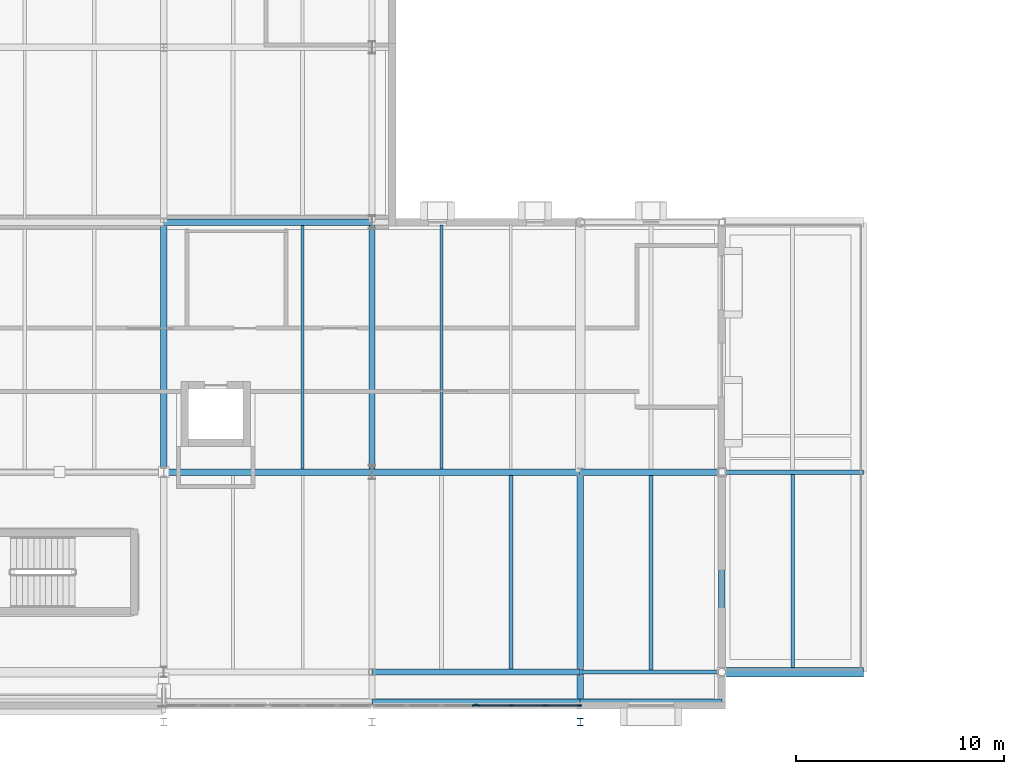
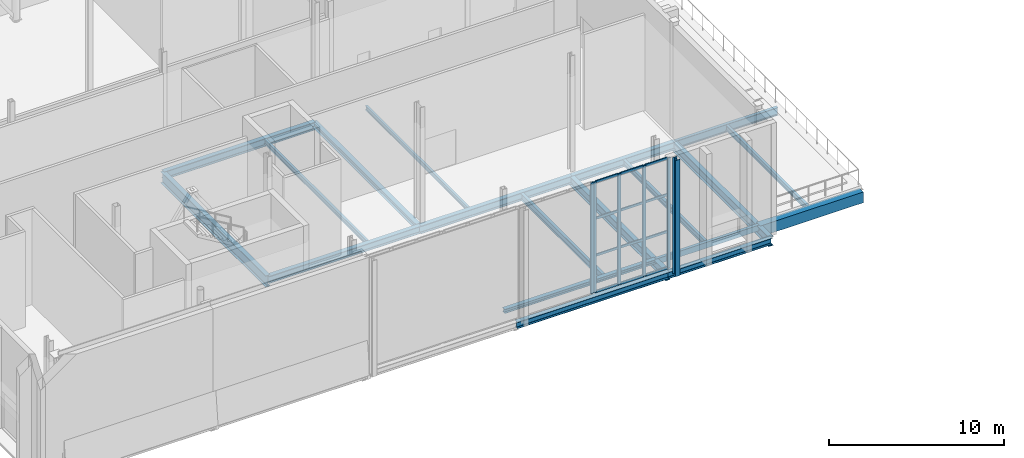
# One storey, part 35 of 79: 19 beams, 18 members, 2 elements without a shape of their own.
"""IFC4 building model written with IfcOpenShell, lengths in metres."""

from ifc_helpers import new_model, si_unit, direction, frame, origin, origin_2d, place, context, subcontext, project, spatial, rectangle, hollow_rectangle, i_section, extrude, material, layer, layer_set, material_profile, profile_set, type_object, element, aggregate, save


model = new_model("IFC4")

# Units and contexts
model_context = context("Model", 3, precision=1e-05, world=origin(), true_north=direction((0.0, 1.0)))
body_context = subcontext(model_context, "Body", "Model", "MODEL_VIEW")
ifc_project = project(units=[si_unit("LENGTHUNIT", "METRE"), si_unit("AREAUNIT", "SQUARE_METRE"), si_unit("VOLUMEUNIT", "CUBIC_METRE"), si_unit("PLANEANGLEUNIT", "RADIAN"), si_unit("MASSUNIT", "GRAM", prefix="KILO")], contexts=[model_context])

# Site, building, storey
site_placement = place(None, origin())
site = spatial("IfcSite", under=ifc_project, at=site_placement, CompositionType="ELEMENT")
building_placement = place(site_placement, origin())
building = spatial("IfcBuilding", under=site, at=building_placement, Name="Zereglee Splitstone Museum", CompositionType="ELEMENT")
storey_placement = place(building_placement, frame((0.0, 0.0, 9.0)))
storey = spatial("IfcBuildingStorey", under=building, at=storey_placement, Name="L02", CompositionType="ELEMENT", Elevation=9.0)

# Curtain wall, member
ifc_material_1 = material(Name="Triple-glazed low-E argon glass and bronze-anodised aluminium", Category="aluminium")
ifc_layer_1 = layer(ifc_material_1, 0.219970703125)
ifc_layer_set_1 = layer_set([ifc_layer_1], Name="Triple-glazed low-E argon glass and bronze-anodised aluminium")
curtain_wall_type_1 = type_object("IfcCurtainWallType", Name="CW-0496-774", PredefinedType="USERDEFINED", material=ifc_layer_set_1)
curtain_wall_1_placement = place(storey_placement, origin())
curtain_wall_1 = element("IfcCurtainWall", 1, at=curtain_wall_1_placement, inside=storey, type_object=curtain_wall_type_1, Name="Glazed Curtain Wall CW-0496-774 (L02)", ObjectType="GLAZED CURTAIN WALL", PredefinedType="USERDEFINED")
ifc_material_2 = material(Name="Thermally broken bronze-anodised aluminium", Category="aluminium")
ifc_material_profile_1 = material_profile(ifc_material_2, rectangle(XDim=0.074951171875, YDim=0.219970703125, at=origin_2d()), Name="CW MULL 75x220")
ifc_profile_set_1 = profile_set([ifc_material_profile_1], Name="Thermally broken bronze-anodised aluminium")
member_type_1 = type_object("IfcMemberType", Name="CWM-02", PredefinedType="MULLION", material=ifc_profile_set_1)
member_1_placement = place(storey_placement, frame((210.12255859375, -1.60009765625, 0.0), z_axis=(0.0, 0.0, 1.0), x_axis=(0.0, 1.0, 0.0)))
member_1 = element("IfcMember", 2, at=member_1_placement, type_object=member_type_1, Name="CW-0496-774 mullion 4", PredefinedType="MULLION", context=body_context, shape_type="SweptSolid", body=[
    extrude(rectangle(XDim=0.074951171875, YDim=0.219970703125, at=origin_2d()), origin(), (0.0, 0.0, 1.0), 7.739990234375),
])
aggregate(curtain_wall_1, [member_1])

# Curtain wall, members
ifc_layer_2 = layer(ifc_material_1, 0.219970703125)
ifc_layer_set_2 = layer_set([ifc_layer_2], Name="Triple-glazed low-E argon glass and bronze-anodised aluminium")
curtain_wall_type_2 = type_object("IfcCurtainWallType", Name="CW-0496-772", PredefinedType="USERDEFINED", material=ifc_layer_set_2)
curtain_wall_2_placement = place(storey_placement, origin())
curtain_wall_2 = element("IfcCurtainWall", 3, at=curtain_wall_2_placement, inside=storey, type_object=curtain_wall_type_2, Name="Glazed Curtain Wall CW-0496-772 (L02)", ObjectType="GLAZED CURTAIN WALL", PredefinedType="USERDEFINED")
member_2_placement = place(storey_placement, frame((210.277587890625, -1.60009765625, 0.0), z_axis=(0.0, 0.0, 1.0), x_axis=(0.0, 1.0, 0.0)))
member_2 = element("IfcMember", 4, at=member_2_placement, type_object=member_type_1, Name="CW-0496-772 mullion 1", PredefinedType="MULLION", context=body_context, shape_type="SweptSolid", body=[
    extrude(rectangle(XDim=0.074951171875, YDim=0.219970703125, at=origin_2d()), origin(), (0.0, 0.0, 1.0), 7.719970703125),
])
member_3_placement = place(storey_placement, frame((211.893310546875, -1.60009765625, 0.0), z_axis=(0.0, 0.0, 1.0), x_axis=(0.0, 1.0, 0.0)))
member_3 = element("IfcMember", 5, at=member_3_placement, type_object=member_type_1, Name="CW-0496-772 mullion 2", PredefinedType="MULLION", context=body_context, shape_type="SweptSolid", body=[
    extrude(rectangle(XDim=0.074951171875, YDim=0.219970703125, at=origin_2d()), origin(), (0.0, 0.0, 1.0), 7.719970703125),
])
member_4_placement = place(storey_placement, frame((213.546630859375, -1.60009765625, 0.0), z_axis=(0.0, 0.0, 1.0), x_axis=(0.0, 1.0, 0.0)))
member_4 = element("IfcMember", 6, at=member_4_placement, type_object=member_type_1, Name="CW-0496-772 mullion 3", PredefinedType="MULLION", context=body_context, shape_type="SweptSolid", body=[
    extrude(rectangle(XDim=0.074951171875, YDim=0.219970703125, at=origin_2d()), origin(), (0.0, 0.0, 1.0), 7.719970703125),
])
member_5_placement = place(storey_placement, frame((215.16259765625, -1.60009765625, 0.0), z_axis=(0.0, 0.0, 1.0), x_axis=(0.0, 1.0, 0.0)))
member_5 = element("IfcMember", 7, at=member_5_placement, type_object=member_type_1, Name="CW-0496-772 mullion 4", PredefinedType="MULLION", context=body_context, shape_type="SweptSolid", body=[
    extrude(rectangle(XDim=0.074951171875, YDim=0.219970703125, at=origin_2d()), origin(), (0.0, 0.0, 1.0), 7.719970703125),
])
ifc_material_profile_2 = material_profile(ifc_material_2, rectangle(XDim=0.074951171875, YDim=0.1650390625, at=origin_2d()), Name="CW TRAN 75x165")
ifc_profile_set_2 = profile_set([ifc_material_profile_2], Name="Thermally broken bronze-anodised aluminium")
member_type_2 = type_object("IfcMemberType", Name="CWT-02", PredefinedType="USERDEFINED", material=ifc_profile_set_2)
member_6_placement = place(storey_placement, frame((210.31494140625, -1.60009765625, 0.03759765625), z_axis=(1.0, 0.0, 0.0), x_axis=(0.0, 1.0, 0.0)))
member_6 = element("IfcMember", 8, at=member_6_placement, type_object=member_type_2, Name="CW-0496-772 transom 1.1", ObjectType="TRANSOM", PredefinedType="USERDEFINED", context=body_context, shape_type="SweptSolid", body=[
    extrude(rectangle(XDim=0.074951171875, YDim=0.1650390625, at=origin_2d()), origin(), (0.0, 0.0, 1.0), 1.540771484375),
])
member_7_placement = place(storey_placement, frame((210.31494140625, -1.60009765625, 2.5732421875), z_axis=(1.0, 0.0, 0.0), x_axis=(0.0, 1.0, 0.0)))
member_7 = element("IfcMember", 9, at=member_7_placement, type_object=member_type_2, Name="CW-0496-772 transom 1.2", ObjectType="TRANSOM", PredefinedType="USERDEFINED", context=body_context, shape_type="SweptSolid", body=[
    extrude(rectangle(XDim=0.074951171875, YDim=0.1650390625, at=origin_2d()), origin(), (0.0, 0.0, 1.0), 1.540771484375),
])
member_8_placement = place(storey_placement, frame((210.31494140625, -1.60009765625, 5.146728515625), z_axis=(1.0, 0.0, 0.0), x_axis=(0.0, 1.0, 0.0)))
member_8 = element("IfcMember", 10, at=member_8_placement, type_object=member_type_2, Name="CW-0496-772 transom 1.3", ObjectType="TRANSOM", PredefinedType="USERDEFINED", context=body_context, shape_type="SweptSolid", body=[
    extrude(rectangle(XDim=0.074951171875, YDim=0.1650390625, at=origin_2d()), origin(), (0.0, 0.0, 1.0), 1.540771484375),
])
member_9_placement = place(storey_placement, frame((210.31494140625, -1.60009765625, 7.6826171875), z_axis=(1.0, 0.0, 0.0), x_axis=(0.0, 1.0, 0.0)))
member_9 = element("IfcMember", 11, at=member_9_placement, type_object=member_type_2, Name="CW-0496-772 transom 1.4", ObjectType="TRANSOM", PredefinedType="USERDEFINED", context=body_context, shape_type="SweptSolid", body=[
    extrude(rectangle(XDim=0.074951171875, YDim=0.1650390625, at=origin_2d()), origin(), (0.0, 0.0, 1.0), 1.540771484375),
])
member_10_placement = place(storey_placement, frame((211.930908203125, -1.60009765625, 0.03759765625), z_axis=(1.0, 0.0, 0.0), x_axis=(0.0, 1.0, 0.0)))
member_10 = element("IfcMember", 12, at=member_10_placement, type_object=member_type_2, Name="CW-0496-772 transom 2.1", ObjectType="TRANSOM", PredefinedType="USERDEFINED", context=body_context, shape_type="SweptSolid", body=[
    extrude(rectangle(XDim=0.074951171875, YDim=0.1650390625, at=origin_2d()), origin(), (0.0, 0.0, 1.0), 1.578369140625),
])
member_11_placement = place(storey_placement, frame((211.930908203125, -1.60009765625, 2.5732421875), z_axis=(1.0, 0.0, 0.0), x_axis=(0.0, 1.0, 0.0)))
member_11 = element("IfcMember", 13, at=member_11_placement, type_object=member_type_2, Name="CW-0496-772 transom 2.2", ObjectType="TRANSOM", PredefinedType="USERDEFINED", context=body_context, shape_type="SweptSolid", body=[
    extrude(rectangle(XDim=0.074951171875, YDim=0.1650390625, at=origin_2d()), origin(), (0.0, 0.0, 1.0), 1.578369140625),
])
member_12_placement = place(storey_placement, frame((211.930908203125, -1.60009765625, 5.146728515625), z_axis=(1.0, 0.0, 0.0), x_axis=(0.0, 1.0, 0.0)))
member_12 = element("IfcMember", 14, at=member_12_placement, type_object=member_type_2, Name="CW-0496-772 transom 2.3", ObjectType="TRANSOM", PredefinedType="USERDEFINED", context=body_context, shape_type="SweptSolid", body=[
    extrude(rectangle(XDim=0.074951171875, YDim=0.1650390625, at=origin_2d()), origin(), (0.0, 0.0, 1.0), 1.578369140625),
])
member_13_placement = place(storey_placement, frame((211.930908203125, -1.60009765625, 7.6826171875), z_axis=(1.0, 0.0, 0.0), x_axis=(0.0, 1.0, 0.0)))
member_13 = element("IfcMember", 15, at=member_13_placement, type_object=member_type_2, Name="CW-0496-772 transom 2.4", ObjectType="TRANSOM", PredefinedType="USERDEFINED", context=body_context, shape_type="SweptSolid", body=[
    extrude(rectangle(XDim=0.074951171875, YDim=0.1650390625, at=origin_2d()), origin(), (0.0, 0.0, 1.0), 1.578369140625),
])
member_14_placement = place(storey_placement, frame((213.584228515625, -1.60009765625, 0.03759765625), z_axis=(1.0, 0.0, 0.0), x_axis=(0.0, 1.0, 0.0)))
member_14 = element("IfcMember", 16, at=member_14_placement, type_object=member_type_2, Name="CW-0496-772 transom 3.1", ObjectType="TRANSOM", PredefinedType="USERDEFINED", context=body_context, shape_type="SweptSolid", body=[
    extrude(rectangle(XDim=0.074951171875, YDim=0.1650390625, at=origin_2d()), origin(), (0.0, 0.0, 1.0), 1.540771484375),
])
member_15_placement = place(storey_placement, frame((213.584228515625, -1.60009765625, 2.5732421875), z_axis=(1.0, 0.0, 0.0), x_axis=(0.0, 1.0, 0.0)))
member_15 = element("IfcMember", 17, at=member_15_placement, type_object=member_type_2, Name="CW-0496-772 transom 3.2", ObjectType="TRANSOM", PredefinedType="USERDEFINED", context=body_context, shape_type="SweptSolid", body=[
    extrude(rectangle(XDim=0.074951171875, YDim=0.1650390625, at=origin_2d()), origin(), (0.0, 0.0, 1.0), 1.540771484375),
])
member_16_placement = place(storey_placement, frame((213.584228515625, -1.60009765625, 5.146728515625), z_axis=(1.0, 0.0, 0.0), x_axis=(0.0, 1.0, 0.0)))
member_16 = element("IfcMember", 18, at=member_16_placement, type_object=member_type_2, Name="CW-0496-772 transom 3.3", ObjectType="TRANSOM", PredefinedType="USERDEFINED", context=body_context, shape_type="SweptSolid", body=[
    extrude(rectangle(XDim=0.074951171875, YDim=0.1650390625, at=origin_2d()), origin(), (0.0, 0.0, 1.0), 1.540771484375),
])
member_17_placement = place(storey_placement, frame((213.584228515625, -1.60009765625, 7.6826171875), z_axis=(1.0, 0.0, 0.0), x_axis=(0.0, 1.0, 0.0)))
member_17 = element("IfcMember", 19, at=member_17_placement, type_object=member_type_2, Name="CW-0496-772 transom 3.4", ObjectType="TRANSOM", PredefinedType="USERDEFINED", context=body_context, shape_type="SweptSolid", body=[
    extrude(rectangle(XDim=0.074951171875, YDim=0.1650390625, at=origin_2d()), origin(), (0.0, 0.0, 1.0), 1.540771484375),
])
aggregate(curtain_wall_2, [member_2, member_3, member_4, member_5, member_6, member_7, member_8, member_9, member_10, member_11, member_12, member_13, member_14, member_15, member_16, member_17])

# Member
ifc_material_3 = material(Name="Steel S355J2", Category="steel")
ifc_material_profile_3 = material_profile(ifc_material_3, i_section(OverallWidth=0.300048828125, OverallDepth=0.360107421875, WebThickness=0.012451171875, FlangeThickness=0.0224609375, FilletRadius=0.027099609375, at=origin_2d()), Name="HE 360 B")
ifc_profile_set_3 = profile_set([ifc_material_profile_3], Name="Steel S355J2")
member_type_3 = type_object("IfcMemberType", Name="TC-06", PredefinedType="CHORD", material=ifc_profile_set_3)
member_18_placement = place(storey_placement, frame((215.199951171875, -2.39990234375, 0.0), z_axis=(0.0, 0.0, 1.0), x_axis=(1.0, 0.0, 0.0)))
element("IfcMember", 20, at=member_18_placement, inside=storey, type_object=member_type_3, Name="Mughal Guldasta Hovering Portal Pier G15 L02", PredefinedType="CHORD", context=body_context, shape_type="SweptSolid", body=[
    extrude(i_section(OverallWidth=0.300048828125, OverallDepth=0.360107421875, WebThickness=0.012451171875, FlangeThickness=0.0224609375, FilletRadius=0.027099609375, at=origin_2d()), origin(), (0.0, 0.0, 1.0), 8.10009765625),
])

# Beams
ifc_material_profile_4 = material_profile(ifc_material_3, i_section(OverallWidth=0.300048828125, OverallDepth=0.39990234375, WebThickness=0.013427734375, FlangeThickness=0.02392578125, FilletRadius=0.027099609375, at=origin_2d()), Name="HE 400 B")
ifc_profile_set_4 = profile_set([ifc_material_profile_4], Name="Steel S355J2")
beam_type_1 = type_object("IfcBeamType", Name="BG-13", PredefinedType="BEAM", material=ifc_profile_set_4)
beam_1_placement = place(storey_placement, frame((205.199951171875, 9.60009765625, -0.52001953125), z_axis=(0.0, 1.0, 0.0), x_axis=(-1.0, 0.0, 0.0)))
element("IfcBeam", 21, at=beam_1_placement, inside=storey, type_object=beam_type_1, Name="Primary Girder L02 23 (9.6-21.6)", PredefinedType="BEAM", context=body_context, shape_type="SweptSolid", body=[
    extrude(i_section(OverallWidth=0.300048828125, OverallDepth=0.39990234375, WebThickness=0.013427734375, FlangeThickness=0.02392578125, FilletRadius=0.027099609375, at=origin_2d()), origin(), (0.0, 0.0, 1.0), 12.0),
])
ifc_material_profile_5 = material_profile(ifc_material_3, i_section(OverallWidth=0.300048828125, OverallDepth=0.5, WebThickness=0.014404296875, FlangeThickness=0.028076171875, FilletRadius=0.027099609375, at=origin_2d()), Name="HE 500 B")
ifc_profile_set_5 = profile_set([ifc_material_profile_5], Name="Steel S355J2")
beam_type_2 = type_object("IfcBeamType", Name="BG-12", PredefinedType="BEAM", material=ifc_profile_set_5)
beam_2_placement = place(storey_placement, frame((195.199951171875, 9.60009765625, -0.570068359375), z_axis=(1.0, 0.0, 0.0), x_axis=(0.0, 1.0, 0.0)))
element("IfcBeam", 22, at=beam_2_placement, inside=storey, type_object=beam_type_2, Name="Primary Girder L02 B (195.2-205.2)", PredefinedType="BEAM", context=body_context, shape_type="SweptSolid", body=[
    extrude(i_section(OverallWidth=0.300048828125, OverallDepth=0.5, WebThickness=0.014404296875, FlangeThickness=0.028076171875, FilletRadius=0.027099609375, at=origin_2d()), origin(), (0.0, 0.0, 1.0), 10.0),
])
ifc_material_profile_6 = material_profile(ifc_material_3, i_section(OverallWidth=0.300048828125, OverallDepth=0.550048828125, WebThickness=0.014892578125, FlangeThickness=0.029052734375, FilletRadius=0.027099609375, at=origin_2d()), Name="HE 550 B")
ifc_profile_set_6 = profile_set([ifc_material_profile_6], Name="Steel S355J2")
beam_type_3 = type_object("IfcBeamType", Name="BG-11", PredefinedType="BEAM", material=ifc_profile_set_6)
beam_3_placement = place(storey_placement, frame((205.199951171875, 9.60009765625, -0.594970703125), z_axis=(1.0, 0.0, 0.0), x_axis=(0.0, 1.0, 0.0)))
element("IfcBeam", 23, at=beam_3_placement, inside=storey, type_object=beam_type_3, Name="Primary Girder L02 B (205.2-215.2)", PredefinedType="BEAM", context=body_context, shape_type="SweptSolid", body=[
    extrude(i_section(OverallWidth=0.300048828125, OverallDepth=0.550048828125, WebThickness=0.014892578125, FlangeThickness=0.029052734375, FilletRadius=0.027099609375, at=origin_2d()), origin(), (0.0, 0.0, 1.0), 10.0),
])
beam_4_placement = place(storey_placement, frame((215.199951171875, 9.60009765625, -0.594970703125), z_axis=(1.0, 0.0, 0.0), x_axis=(0.0, 1.0, 0.0)))
element("IfcBeam", 24, at=beam_4_placement, inside=storey, type_object=beam_type_3, Name="Primary Girder L02 B (215.2-222.0)", PredefinedType="BEAM", context=body_context, shape_type="SweptSolid", body=[
    extrude(i_section(OverallWidth=0.300048828125, OverallDepth=0.550048828125, WebThickness=0.014892578125, FlangeThickness=0.029052734375, FilletRadius=0.027099609375, at=origin_2d()), origin(), (0.0, 0.0, 1.0), 6.800048828125),
])
beam_5_placement = place(storey_placement, frame((195.199951171875, 21.60009765625, -0.594970703125), z_axis=(1.0, 0.0, 0.0), x_axis=(0.0, 1.0, 0.0)))
element("IfcBeam", 25, at=beam_5_placement, inside=storey, type_object=beam_type_3, Name="Primary Girder L02 C (195.2-205.2)", PredefinedType="BEAM", context=body_context, shape_type="SweptSolid", body=[
    extrude(i_section(OverallWidth=0.300048828125, OverallDepth=0.550048828125, WebThickness=0.014892578125, FlangeThickness=0.029052734375, FilletRadius=0.027099609375, at=origin_2d()), origin(), (0.0, 0.0, 1.0), 10.0),
])
ifc_material_profile_7 = material_profile(ifc_material_3, i_section(OverallWidth=0.300048828125, OverallDepth=0.64990234375, WebThickness=0.01611328125, FlangeThickness=0.031005859375, FilletRadius=0.027099609375, at=origin_2d()), Name="HE 650 B")
ifc_profile_set_7 = profile_set([ifc_material_profile_7], Name="Steel S355J2")
beam_type_4 = type_object("IfcBeamType", Name="BG-09", PredefinedType="BEAM", material=ifc_profile_set_7)
for number, where, z_axis, x_axis, name in (
    (26, (215.199951171875, -1.449951171875, -0.64501953125), (0.0, 1.0, 0.0), (-1.0, 0.0, 0.0), "Primary Girder L02 24 (-1.4-9.6)"),
    (27, (222.0, -1.449951171875, -0.64501953125), (0.0, 1.0, 0.0), (-1.0, 0.0, 0.0), "Primary Girder L02 25 (-1.4-9.6)"),
):
    element("IfcBeam", number, at=place(storey_placement, frame(where, z_axis=z_axis, x_axis=x_axis)), inside=storey, type_object=beam_type_4, Name=name, PredefinedType="BEAM", context=body_context, shape_type="SweptSolid", body=[
        extrude(i_section(OverallWidth=0.300048828125, OverallDepth=0.64990234375, WebThickness=0.01611328125, FlangeThickness=0.031005859375, FilletRadius=0.027099609375, at=origin_2d()), origin(), (0.0, 0.0, 1.0), 11.050048828125),
    ])
ifc_material_profile_8 = material_profile(ifc_material_3, i_section(OverallWidth=0.300048828125, OverallDepth=0.800048828125, WebThickness=0.017578125, FlangeThickness=0.032958984375, FilletRadius=0.030029296875, at=origin_2d()), Name="HE 800 B")
ifc_profile_set_8 = profile_set([ifc_material_profile_8], Name="Steel S355J2")
beam_type_5 = type_object("IfcBeamType", Name="BG-07", PredefinedType="BEAM", material=ifc_profile_set_8)
beam_6_placement = place(storey_placement, frame((195.199951171875, 9.60009765625, -0.719970703125), z_axis=(0.0, 1.0, 0.0), x_axis=(-1.0, 0.0, 0.0)))
element("IfcBeam", 28, at=beam_6_placement, inside=storey, type_object=beam_type_5, Name="Primary Girder L02 22 (9.6-21.6)", PredefinedType="BEAM", context=body_context, shape_type="SweptSolid", body=[
    extrude(i_section(OverallWidth=0.300048828125, OverallDepth=0.800048828125, WebThickness=0.017578125, FlangeThickness=0.032958984375, FilletRadius=0.030029296875, at=origin_2d()), origin(), (0.0, 0.0, 1.0), 12.0),
])
ifc_material_profile_9 = material_profile(ifc_material_3, i_section(OverallWidth=0.2099609375, OverallDepth=0.550048828125, WebThickness=0.010986328125, FlangeThickness=0.01708984375, FilletRadius=0.02392578125, at=origin_2d()), Name="IPE 550")
ifc_profile_set_9 = profile_set([ifc_material_profile_9], Name="Steel S355J2")
beam_type_6 = type_object("IfcBeamType", Name="BG-16", PredefinedType="BEAM", material=ifc_profile_set_9)
beam_7_placement = place(storey_placement, frame((222.0, 9.60009765625, -0.594970703125), z_axis=(1.0, 0.0, 0.0), x_axis=(0.0, 1.0, 0.0)))
element("IfcBeam", 29, at=beam_7_placement, inside=storey, type_object=beam_type_6, Name="Primary Girder L02 B (222.0-228.8)", PredefinedType="BEAM", context=body_context, shape_type="SweptSolid", body=[
    extrude(i_section(OverallWidth=0.2099609375, OverallDepth=0.550048828125, WebThickness=0.010986328125, FlangeThickness=0.01708984375, FilletRadius=0.02392578125, at=origin_2d()), origin(), (0.0, 0.0, 1.0), 6.800048828125),
])
ifc_material_profile_10 = material_profile(ifc_material_3, i_section(OverallWidth=0.14990234375, OverallDepth=0.300048828125, WebThickness=0.007080078125, FlangeThickness=0.0107421875, FilletRadius=0.014892578125, at=origin_2d()), Name="IPE 300")
ifc_profile_set_10 = profile_set([ifc_material_profile_10], Name="Steel S355J2")
beam_type_7 = type_object("IfcBeamType", Name="BJ-06", PredefinedType="JOIST", material=ifc_profile_set_10)
beam_8_placement = place(storey_placement, frame((208.533203125, 9.75, -0.469970703125), z_axis=(0.0, 1.0, 0.0), x_axis=(-1.0, 0.0, 0.0)))
element("IfcBeam", 30, at=beam_8_placement, inside=storey, type_object=beam_type_7, Name="Secondary Floor Joist L02-1069", PredefinedType="JOIST", context=body_context, shape_type="SweptSolid", body=[
    extrude(i_section(OverallWidth=0.14990234375, OverallDepth=0.300048828125, WebThickness=0.007080078125, FlangeThickness=0.0107421875, FilletRadius=0.014892578125, at=origin_2d()), origin(), (0.0, 0.0, 1.0), 11.7099609375),
])
ifc_material_profile_11 = material_profile(ifc_material_3, i_section(OverallWidth=0.159912109375, OverallDepth=0.330078125, WebThickness=0.007568359375, FlangeThickness=0.011474609375, FilletRadius=0.01806640625, at=origin_2d()), Name="IPE 330")
ifc_profile_set_11 = profile_set([ifc_material_profile_11], Name="Steel S355J2")
beam_type_8 = type_object("IfcBeamType", Name="BJ-05", PredefinedType="JOIST", material=ifc_profile_set_11)
beam_9_placement = place(storey_placement, frame((201.86669921875, 9.75, -0.485107421875), z_axis=(0.0, 1.0, 0.0), x_axis=(-1.0, 0.0, 0.0)))
element("IfcBeam", 31, at=beam_9_placement, inside=storey, type_object=beam_type_8, Name="Secondary Floor Joist L02-1068", PredefinedType="JOIST", context=body_context, shape_type="SweptSolid", body=[
    extrude(i_section(OverallWidth=0.159912109375, OverallDepth=0.330078125, WebThickness=0.007568359375, FlangeThickness=0.011474609375, FilletRadius=0.01806640625, at=origin_2d()), origin(), (0.0, 0.0, 1.0), 11.699951171875),
])
ifc_material_profile_12 = material_profile(ifc_material_3, i_section(OverallWidth=0.169921875, OverallDepth=0.360107421875, WebThickness=0.008056640625, FlangeThickness=0.0126953125, FilletRadius=0.01806640625, at=origin_2d()), Name="IPE 360")
ifc_profile_set_12 = profile_set([ifc_material_profile_12], Name="Steel S355J2")
beam_type_9 = type_object("IfcBeamType", Name="BJ-04", PredefinedType="JOIST", material=ifc_profile_set_12)
beam_10_placement = place(storey_placement, frame((225.39990234375, 0.22509765625, -0.5), z_axis=(0.0, 1.0, 0.0), x_axis=(-1.0, 0.0, 0.0)))
element("IfcBeam", 32, at=beam_10_placement, inside=storey, type_object=beam_type_9, Name="Secondary Floor Joist L02-1046", PredefinedType="JOIST", context=body_context, shape_type="SweptSolid", body=[
    extrude(i_section(OverallWidth=0.169921875, OverallDepth=0.360107421875, WebThickness=0.008056640625, FlangeThickness=0.0126953125, FilletRadius=0.01806640625, at=origin_2d()), origin(), (0.0, 0.0, 1.0), 9.27001953125),
])
ifc_material_profile_13 = material_profile(ifc_material_3, i_section(OverallWidth=0.179931640625, OverallDepth=0.39990234375, WebThickness=0.008544921875, FlangeThickness=0.013427734375, FilletRadius=0.02099609375, at=origin_2d()), Name="IPE 400")
ifc_profile_set_13 = profile_set([ifc_material_profile_13], Name="Steel S355J2")
beam_type_10 = type_object("IfcBeamType", Name="BJ-03", PredefinedType="JOIST", material=ifc_profile_set_13)
beam_11_placement = place(storey_placement, frame((218.60009765625, 0.10009765625, -0.52001953125), z_axis=(0.0, 1.0, 0.0), x_axis=(-1.0, 0.0, 0.0)))
element("IfcBeam", 33, at=beam_11_placement, inside=storey, type_object=beam_type_10, Name="Secondary Floor Joist L02-1045", PredefinedType="JOIST", context=body_context, shape_type="SweptSolid", body=[
    extrude(i_section(OverallWidth=0.179931640625, OverallDepth=0.39990234375, WebThickness=0.008544921875, FlangeThickness=0.013427734375, FilletRadius=0.02099609375, at=origin_2d()), origin(), (0.0, 0.0, 1.0), 9.349853515625),
])
ifc_material_profile_14 = material_profile(ifc_material_3, i_section(OverallWidth=0.18994140625, OverallDepth=0.449951171875, WebThickness=0.009521484375, FlangeThickness=0.0146484375, FilletRadius=0.02099609375, at=origin_2d()), Name="IPE 450")
ifc_profile_set_14 = profile_set([ifc_material_profile_14], Name="Steel S355J2")
beam_type_11 = type_object("IfcBeamType", Name="BJ-02", PredefinedType="JOIST", material=ifc_profile_set_14)
beam_12_placement = place(storey_placement, frame((211.86669921875, 0.139892578125, -0.544921875), z_axis=(0.0, 1.0, 0.0), x_axis=(-1.0, 0.0, 0.0)))
element("IfcBeam", 34, at=beam_12_placement, inside=storey, type_object=beam_type_11, Name="Secondary Floor Joist L02-1044", PredefinedType="JOIST", context=body_context, shape_type="SweptSolid", body=[
    extrude(i_section(OverallWidth=0.18994140625, OverallDepth=0.449951171875, WebThickness=0.009521484375, FlangeThickness=0.0146484375, FilletRadius=0.02099609375, at=origin_2d()), origin(), (0.0, 0.0, 1.0), 9.31005859375),
])
ifc_material_profile_15 = material_profile(ifc_material_3, i_section(OverallWidth=0.280029296875, OverallDepth=0.280029296875, WebThickness=0.010498046875, FlangeThickness=0.01806640625, FilletRadius=0.02392578125, at=origin_2d()), Name="HE 280 B")
ifc_profile_set_15 = profile_set([ifc_material_profile_15], Name="Steel S355J2")
beam_type_12 = type_object("IfcBeamType", Name="SP-03", PredefinedType="SPANDREL", material=ifc_profile_set_15)
beam_13_placement = place(storey_placement, frame((205.199951171875, 0.0, -0.4599609375), z_axis=(1.0, 0.0, 0.0), x_axis=(0.0, 1.0, 0.0)))
element("IfcBeam", 35, at=beam_13_placement, inside=storey, type_object=beam_type_12, Name="Primary Girder L02 A (205.2-215.2)", PredefinedType="SPANDREL", context=body_context, shape_type="SweptSolid", body=[
    extrude(i_section(OverallWidth=0.280029296875, OverallDepth=0.280029296875, WebThickness=0.010498046875, FlangeThickness=0.01806640625, FilletRadius=0.02392578125, at=origin_2d()), origin(), (0.0, 0.0, 1.0), 10.0),
])
ifc_material_profile_16 = material_profile(ifc_material_3, i_section(OverallWidth=0.300048828125, OverallDepth=0.449951171875, WebThickness=0.013916015625, FlangeThickness=0.02587890625, FilletRadius=0.027099609375, at=origin_2d()), Name="HE 450 B")
ifc_profile_set_16 = profile_set([ifc_material_profile_16], Name="Steel S355J2")
beam_type_13 = type_object("IfcBeamType", Name="SP-02", PredefinedType="SPANDREL", material=ifc_profile_set_16)
beam_14_placement = place(storey_placement, frame((205.199951171875, -1.449951171875, -0.544921875), z_axis=(1.0, 0.0, 0.0), x_axis=(0.0, 1.0, 0.0)))
element("IfcBeam", 36, at=beam_14_placement, inside=storey, type_object=beam_type_13, Name="Hovering Soffit Spandrel L02 (205.2-215.2)", PredefinedType="SPANDREL", context=body_context, shape_type="SweptSolid", body=[
    extrude(i_section(OverallWidth=0.300048828125, OverallDepth=0.449951171875, WebThickness=0.013916015625, FlangeThickness=0.02587890625, FilletRadius=0.027099609375, at=origin_2d()), origin(), (0.0, 0.0, 1.0), 10.0),
])
beam_15_placement = place(storey_placement, frame((215.199951171875, -1.449951171875, -0.544921875), z_axis=(1.0, 0.0, 0.0), x_axis=(0.0, 1.0, 0.0)))
element("IfcBeam", 37, at=beam_15_placement, inside=storey, type_object=beam_type_13, Name="Hovering Soffit Spandrel L02 (215.2-222.0)", PredefinedType="SPANDREL", context=body_context, shape_type="SweptSolid", body=[
    extrude(i_section(OverallWidth=0.300048828125, OverallDepth=0.449951171875, WebThickness=0.013916015625, FlangeThickness=0.02587890625, FilletRadius=0.027099609375, at=origin_2d()), origin(), (0.0, 0.0, 1.0), 6.800048828125),
])
ifc_material_4 = material(Name="Concrete C40/50", Category="concrete")
ifc_material_profile_17 = material_profile(ifc_material_4, rectangle(XDim=0.449951171875, YDim=0.75, at=origin_2d()), Name="RC 450x750")
ifc_profile_set_17 = profile_set([ifc_material_profile_17], Name="Concrete C40/50")
beam_type_14 = type_object("IfcBeamType", Name="SP-01", PredefinedType="SPANDREL", material=ifc_profile_set_17)
beam_16_placement = place(storey_placement, frame((222.0, 0.0, -0.695068359375), z_axis=(1.0, 0.0, 0.0), x_axis=(0.0, 1.0, 0.0)))
element("IfcBeam", 38, at=beam_16_placement, inside=storey, type_object=beam_type_14, Name="Primary Girder L02 A (222.0-228.8)", PredefinedType="SPANDREL", context=body_context, shape_type="SweptSolid", body=[
    extrude(rectangle(XDim=0.449951171875, YDim=0.75, at=origin_2d()), origin(), (0.0, 0.0, 1.0), 6.800048828125),
])
ifc_material_5 = material(Name="Steel S355J2H", Category="steel")
ifc_material_profile_18 = material_profile(ifc_material_5, hollow_rectangle(XDim=0.199951171875, YDim=0.39990234375, WallThickness=0.01611328125, at=origin_2d()), Name="RHS 400x200x16")
ifc_profile_set_18 = profile_set([ifc_material_profile_18], Name="Steel S355J2H")
beam_type_15 = type_object("IfcBeamType", Name="SP-04", PredefinedType="SPANDREL", material=ifc_profile_set_18)
beam_17_placement = place(storey_placement, frame((215.199951171875, 0.0, -0.52001953125), z_axis=(1.0, 0.0, 0.0), x_axis=(0.0, 1.0, 0.0)))
element("IfcBeam", 39, at=beam_17_placement, inside=storey, type_object=beam_type_15, Name="Primary Girder L02 A (215.2-222.0)", PredefinedType="SPANDREL", context=body_context, shape_type="SweptSolid", body=[
    extrude(hollow_rectangle(XDim=0.199951171875, YDim=0.39990234375, WallThickness=0.01611328125, at=origin_2d()), origin(), (0.0, 0.0, 1.0), 6.800048828125),
])

save(model, "model.ifc")
